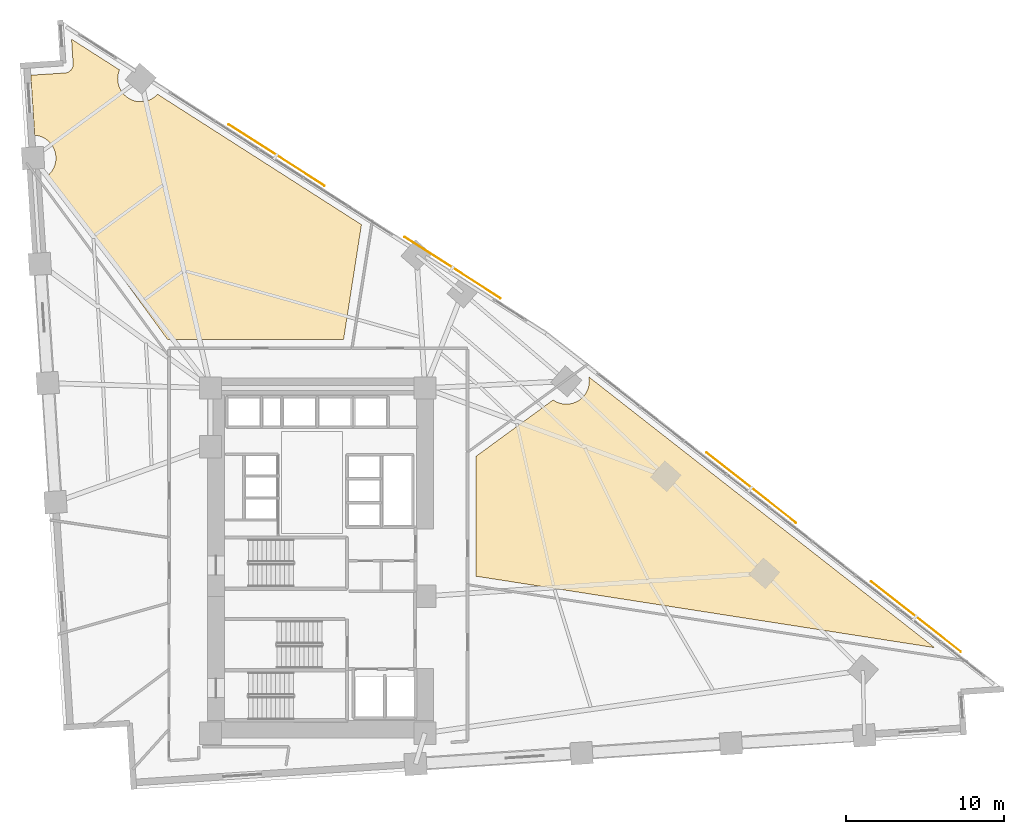
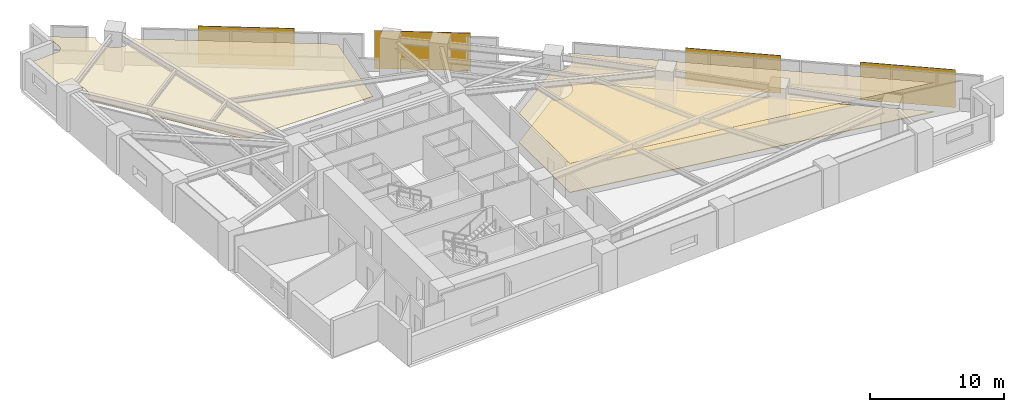
# One storey, part 16 of 16: 4 shading devices, 3 coverings.
"""IFC4 building model written with IfcOpenShell, lengths in metres."""

from ifc_helpers import new_model, si_unit, direction, frame, origin, origin_2d, place, context, subcontext, project, spatial, polyline, rectangle, outline, extrude, material, layer, layer_set, type_object, element, save


model = new_model("IFC4")

# Units and contexts
model_context = context("Model", 3, precision=1e-05, world=origin(), true_north=direction((0.0, 1.0)))
body_context = subcontext(model_context, "Body", "Model", "MODEL_VIEW")
ifc_project = project(units=[si_unit("LENGTHUNIT", "METRE"), si_unit("AREAUNIT", "SQUARE_METRE"), si_unit("VOLUMEUNIT", "CUBIC_METRE"), si_unit("PLANEANGLEUNIT", "RADIAN"), si_unit("MASSUNIT", "GRAM", prefix="KILO")], contexts=[model_context])

# Site, building, storey
site_placement = place(None, origin())
site = spatial("IfcSite", under=ifc_project, at=site_placement, CompositionType="ELEMENT")
building_placement = place(site_placement, origin())
building = spatial("IfcBuilding", under=site, at=building_placement, Name="Narakoshi Arena Tower", CompositionType="ELEMENT")
storey_placement = place(building_placement, frame((0.0, 0.0, 88.5)))
storey = spatial("IfcBuildingStorey", under=building, at=storey_placement, Name="L23", CompositionType="ELEMENT", Elevation=88.5)

# Coverings
ifc_material_1 = material(Name="Acoustic mineral-fibre ceiling tile")
ifc_layer_1 = layer(ifc_material_1, 0.02001953125)
ifc_layer_set_1 = layer_set([ifc_layer_1], Name="Acoustic mineral-fibre ceiling tile")
covering_type_1 = type_object("IfcCoveringType", Name="COV-CLG-AC20", PredefinedType="CEILING", material=ifc_layer_set_1)
covering_1_placement = place(storey_placement, frame((0.0, 0.0, 2.669921875)))
element("IfcCovering", 1, at=covering_1_placement, inside=storey, type_object=covering_type_1, Name="L23 Suspended Acoustic Ceiling 1", PredefinedType="CEILING", context=body_context, shape_type="SweptSolid", body=[
    extrude(outline(polyline([(88.78759765625, 44.61376953125), (88.78759765625, 52.200439453125), (93.645751953125, 55.74951171875), (93.673583984375, 55.72900390625), (93.795654296875, 55.656005859375), (93.92431640625, 55.59521484375), (94.05810546875, 55.547119140625), (94.1962890625, 55.5126953125), (94.3369140625, 55.49169921875), (94.47900390625, 55.484619140625), (94.62109375, 55.49169921875), (94.761962890625, 55.5126953125), (94.89990234375, 55.547119140625), (95.033935546875, 55.59521484375), (95.16259765625, 55.656005859375), (95.28466796875, 55.72900390625), (95.39892578125, 55.813720703125), (95.50439453125, 55.909423828125), (95.60009765625, 56.014892578125), (95.684814453125, 56.129150390625), (95.7578125, 56.251220703125), (95.818603515625, 56.3798828125), (95.86669921875, 56.513916015625), (95.901123046875, 56.65185546875), (95.922119140625, 56.79248046875), (95.92919921875, 56.934814453125), (95.922119140625, 57.076904296875), (95.90283203125, 57.206298828125), (117.746337890625, 40.104736328125), (88.78759765625, 44.61376953125)])), origin(), (0.0, 0.0, 1.0), 0.02001953125),
])
ifc_material_2 = material(Name="Slatted oak acoustic timber baffle", Category="wood")
ifc_layer_2 = layer(ifc_material_2, 0.034912109375)
ifc_layer_set_2 = layer_set([ifc_layer_2], Name="Slatted oak acoustic timber baffle")
covering_type_2 = type_object("IfcCoveringType", Name="COV-CLG-WD35", PredefinedType="CEILING", material=ifc_layer_set_2)
covering_2_placement = place(storey_placement, frame((0.0, 0.0, 2.655029296875)))
element("IfcCovering", 2, at=covering_2_placement, inside=storey, type_object=covering_type_2, Name="L23 Suspended Acoustic Ceiling 2", PredefinedType="CEILING", context=body_context, shape_type="SweptSolid", body=[
    extrude(outline(polyline([(62.809326171875, 76.409423828125), (62.863037109375, 76.41552734375), (62.915771484375, 76.427001953125), (62.967041015625, 76.443603515625), (63.0166015625, 76.46484375), (63.063720703125, 76.4912109375), (63.108154296875, 76.52197265625), (63.1494140625, 76.556884765625), (63.18701171875, 76.595703125), (63.220458984375, 76.6376953125), (63.249755859375, 76.68310546875), (63.2744140625, 76.731201171875), (63.294189453125, 76.781494140625), (63.30908203125, 76.833251953125), (63.318603515625, 76.886474609375), (63.322998046875, 76.940185546875), (63.322265625, 76.994140625), (63.220703125, 78.541259765625), (66.252197265625, 76.602294921875), (66.250244140625, 76.598388671875), (66.202392578125, 76.46435546875), (66.167724609375, 76.326416015625), (66.14697265625, 76.185546875), (66.139892578125, 76.04345703125), (66.14697265625, 75.9013671875), (66.167724609375, 75.760498046875), (66.202392578125, 75.62255859375), (66.250244140625, 75.488525390625), (66.31103515625, 75.35986328125), (66.38427734375, 75.23779296875), (66.468994140625, 75.12353515625), (66.564697265625, 75.01806640625), (66.669921875, 74.922607421875), (66.7841796875, 74.837890625), (66.906494140625, 74.7646484375), (67.034912109375, 74.703857421875), (67.1689453125, 74.65576171875), (67.306884765625, 74.621337890625), (67.44775390625, 74.600341796875), (67.58984375, 74.593505859375), (67.73193359375, 74.600341796875), (67.872802734375, 74.621337890625), (68.0107421875, 74.65576171875), (68.144775390625, 74.703857421875), (68.2734375, 74.7646484375), (68.3955078125, 74.837890625), (68.509765625, 74.922607421875), (68.615234375, 75.01806640625), (68.656982421875, 75.064208984375), (81.5361328125, 66.826171875), (80.406494140625, 59.570068359375), (69.3798828125, 59.570068359375), (69.326171875, 59.5673828125), (69.29541015625, 59.562744140625), (61.723876953125, 69.927001953125), (61.810791015625, 70.005615234375), (61.90625, 70.111083984375), (61.990966796875, 70.225341796875), (62.064208984375, 70.347412109375), (62.125, 70.47607421875), (62.173095703125, 70.610107421875), (62.20751953125, 70.748046875), (62.228515625, 70.888916015625), (62.2353515625, 71.031005859375), (62.228515625, 71.173095703125), (62.20751953125, 71.313720703125), (62.173095703125, 71.451904296875), (62.125, 71.585693359375), (62.064208984375, 71.71435546875), (61.990966796875, 71.83642578125), (61.90625, 71.95068359375), (61.810791015625, 72.05615234375), (61.705322265625, 72.15185546875), (61.591064453125, 72.236572265625), (61.468994140625, 72.309814453125), (61.34033203125, 72.37060546875), (61.206298828125, 72.41845703125), (61.068359375, 72.452880859375), (60.927490234375, 72.473876953125), (60.896240234375, 72.4755859375), (60.647705078125, 76.267578125), (62.809326171875, 76.409423828125)])), origin(), (0.0, 0.0, 1.0), 0.034912109375),
])
ifc_material_3 = material(Name="Raised steel access floor panel", Category="steel")
ifc_layer_3 = layer(ifc_material_3, 0.044921875)
ifc_layer_set_3 = layer_set([ifc_layer_3], Name="Raised steel access floor panel")
covering_type_3 = type_object("IfcCoveringType", Name="COV-FLR-RF45", PredefinedType="FLOORING", material=ifc_layer_set_3)
covering_3_placement = place(storey_placement, origin())
element("IfcCovering", 3, at=covering_3_placement, inside=storey, type_object=covering_type_3, Name="L23 Raised Steel Access Floor", PredefinedType="FLOORING", context=body_context, shape_type="SweptSolid", body=[
    extrude(outline(polyline([(88.78759765625, 44.61376953125), (88.78759765625, 52.200439453125), (93.645751953125, 55.74951171875), (93.673583984375, 55.72900390625), (93.795654296875, 55.656005859375), (93.92431640625, 55.59521484375), (94.05810546875, 55.547119140625), (94.1962890625, 55.5126953125), (94.3369140625, 55.49169921875), (94.47900390625, 55.484619140625), (94.62109375, 55.49169921875), (94.761962890625, 55.5126953125), (94.89990234375, 55.547119140625), (95.033935546875, 55.59521484375), (95.16259765625, 55.656005859375), (95.28466796875, 55.72900390625), (95.39892578125, 55.813720703125), (95.50439453125, 55.909423828125), (95.60009765625, 56.014892578125), (95.684814453125, 56.129150390625), (95.7578125, 56.251220703125), (95.818603515625, 56.3798828125), (95.86669921875, 56.513916015625), (95.901123046875, 56.65185546875), (95.922119140625, 56.79248046875), (95.92919921875, 56.934814453125), (95.922119140625, 57.076904296875), (95.90283203125, 57.206298828125), (117.746337890625, 40.104736328125), (88.78759765625, 44.61376953125)])), origin(), (0.0, 0.0, 1.0), 0.044921875),
])

# Shading devices
ifc_material_4 = material(Name="Perforated bronze ceramic-metal composite")
ifc_layer_4 = layer(ifc_material_4, 0.044921875)
ifc_layer_set_4 = layer_set([ifc_layer_4], Name="Perforated bronze ceramic-metal composite")
shading_device_type = type_object("IfcShadingDeviceType", Name="SHD-SCR-BRZ1", PredefinedType="USERDEFINED", material=ifc_layer_set_4)
for number, where, z_axis, x_axis, name in (
    (4, (116.560546875, 42.06494140625, 0.0), (0.0, 0.0, 1.0), (-0.787387121413, 0.616458855912, 0.0), "L23 Perforated Bronze Solar Screen 1-1"),
    (5, (106.1669921875, 50.2021484375, 0.0), (0.0, 0.0, 1.0), (-0.787387121413, 0.616458855912, 0.0), "L23 Perforated Bronze Solar Screen 1-2"),
    (6, (87.29541015625, 64.10693359375, 0.0), (0.0, 0.0, 1.0), (-0.842414781658, 0.538829597966, 0.0), "L23 Perforated Bronze Solar Screen 2-1"),
    (7, (76.17529296875, 71.219482421875, 0.0), (0.0, 0.0, 1.0), (-0.842414781658, 0.538829597966, 0.0), "L23 Perforated Bronze Solar Screen 2-2"),
):
    element("IfcShadingDevice", number, at=place(storey_placement, frame(where, z_axis=z_axis, x_axis=x_axis)), inside=storey, type_object=shading_device_type, Name=name, ObjectType="SOLAR SCREEN", PredefinedType="USERDEFINED", context=body_context, shape_type="SweptSolid", body=[
        extrude(rectangle(XDim=7.199951171875, YDim=0.044921875, at=origin_2d()), origin(), (0.0, 0.0, 1.0), 3.449951171875),
    ])

save(model, "model.ifc")
